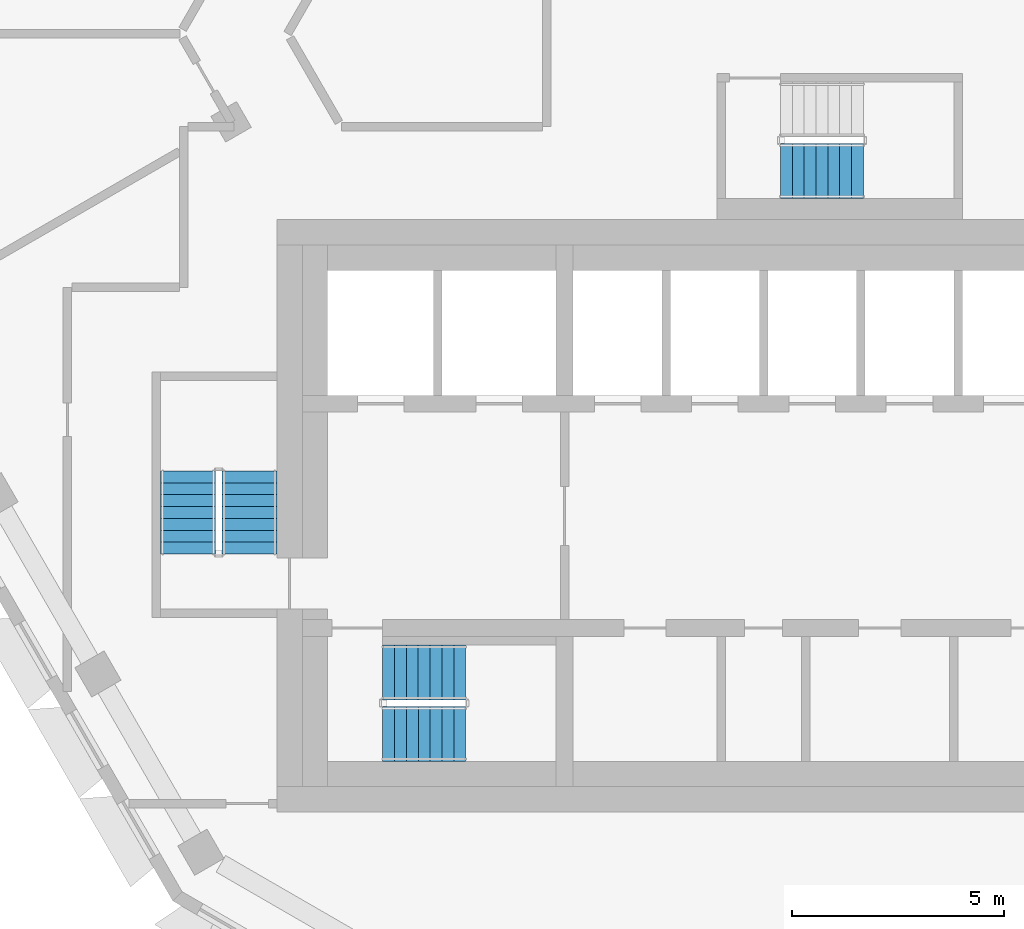
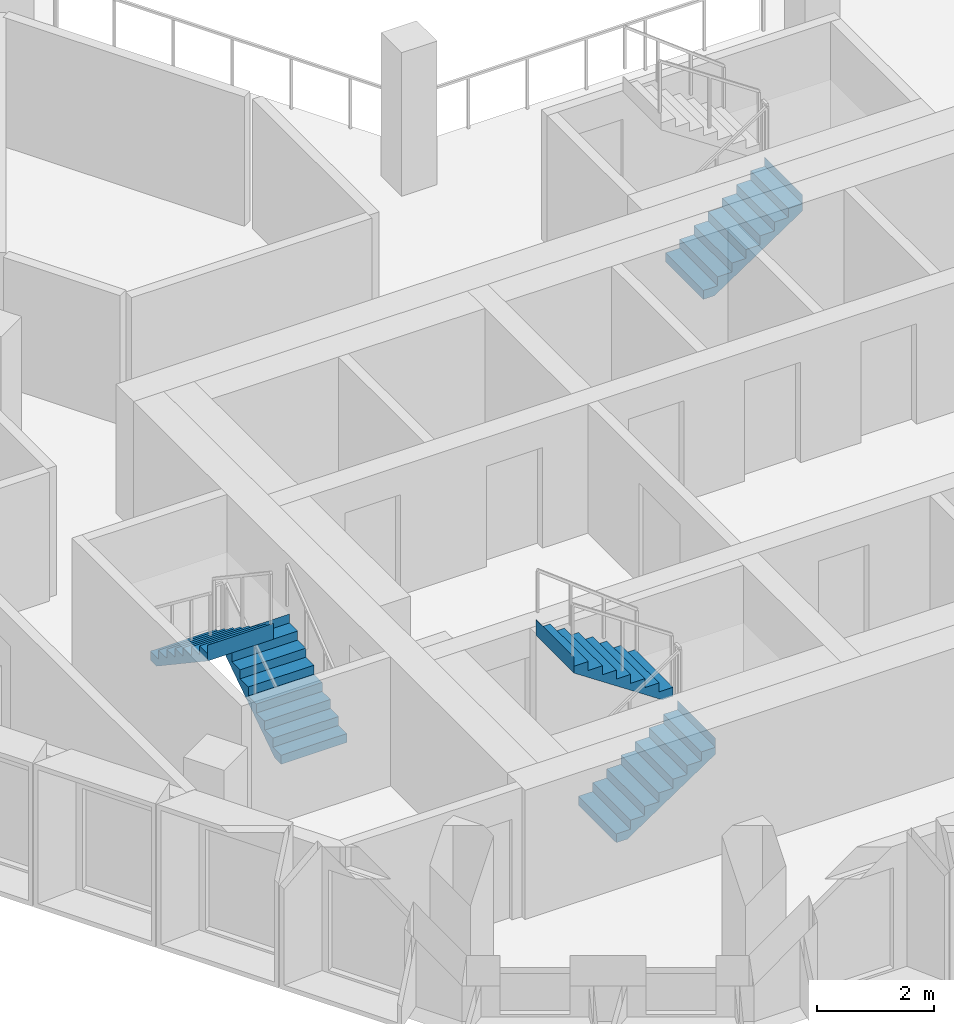
# One storey, part 11 of 17: 5 stair flights, 3 elements without a shape of their own.
"""IFC4 building model written with IfcOpenShell, lengths in metres."""

from ifc_helpers import new_model, si_unit, direction, frame, origin, place, context, subcontext, project, spatial, triangles, material, type_object, element, aggregate, save


model = new_model("IFC4")

# Units and contexts
model_context = context("Model", 3, precision=1e-05, world=origin(), true_north=direction((0.0, 1.0)))
body_context = subcontext(model_context, "Body", "Model", "MODEL_VIEW")
ifc_project = project(units=[si_unit("LENGTHUNIT", "METRE"), si_unit("AREAUNIT", "SQUARE_METRE"), si_unit("VOLUMEUNIT", "CUBIC_METRE"), si_unit("PLANEANGLEUNIT", "RADIAN"), si_unit("MASSUNIT", "GRAM", prefix="KILO")], contexts=[model_context])

# Site, building, storey
site_placement = place(None, origin())
site = spatial("IfcSite", under=ifc_project, at=site_placement, CompositionType="ELEMENT")
building_placement = place(site_placement, origin())
building = spatial("IfcBuilding", under=site, at=building_placement, Name="Beryl Residences", CompositionType="ELEMENT")
storey_placement = place(building_placement, frame((0.0, 0.0, 166.199951171875)))
storey = spatial("IfcBuildingStorey", under=building, at=storey_placement, Name="L50", CompositionType="ELEMENT", Elevation=166.199951171875)

# Stair, stair flights
ifc_material_1 = material(Name="Concrete C40/50", Category="concrete")
stair_type = type_object("IfcStairType", Name="ST1 protected exit stair, half-turn, 1300 mm flights", PredefinedType="HALF_TURN_STAIR", material=ifc_material_1)
stair_1_placement = place(storey_placement, origin())
stair_1 = element("IfcStair", 1, at=stair_1_placement, inside=storey, type_object=stair_type, Name="L50 PROTECTED EXIT STAIR ST-1", PredefinedType="HALF_TURN_STAIR")
ifc_material_2 = material(Name="Concrete C40/50", Category="concrete")
stair_flight_type = type_object("IfcStairFlightType", Name="SF1 stair flight 1300 mm", PredefinedType="STRAIGHT", material=ifc_material_2)
stair_flight_1_placement = place(storey_placement, frame((-10.800048828125, -17.14990234375, 0.0), z_axis=(0.0, 0.0, 1.0), x_axis=(1.0, 0.0, 0.0)))
stair_flight_1 = element("IfcStairFlight", 2, at=stair_flight_1_placement, type_object=stair_flight_type, Name="ST-1 flight 1", NumberOfRisers=8, NumberOfTreads=7, PredefinedType="STRAIGHT", RiserHeight=0.1875, TreadLength=0.28, context=body_context, shape_type="Tessellation", body=[
    triangles([(0.0, -0.64990234375, 0.0), (0.0, -0.324951171875, 0.0), (0.0, 0.0, 0.0), (0.0, 0.324951171875, 0.0), (0.0, 0.64990234375, 0.0), (0.0, -0.64990234375, 0.1875), (0.0, -0.324951171875, 0.1875), (0.0, 0.0, 0.1875), (0.0, 0.324951171875, 0.1875), (0.0, 0.64990234375, 0.1875), (0.280029296875, -0.64990234375, 0.1875), (0.280029296875, -0.324951171875, 0.1875), (0.280029296875, 0.0, 0.1875), (0.280029296875, 0.324951171875, 0.1875), (0.280029296875, 0.64990234375, 0.1875), (0.280029296875, -0.64990234375, 0.375), (0.280029296875, -0.324951171875, 0.375), (0.280029296875, 0.0, 0.375), (0.280029296875, 0.324951171875, 0.375), (0.280029296875, 0.64990234375, 0.375), (0.56005859375, -0.64990234375, 0.375), (0.56005859375, -0.324951171875, 0.375), (0.56005859375, 0.0, 0.375), (0.56005859375, 0.324951171875, 0.375), (0.56005859375, 0.64990234375, 0.375), (0.56005859375, -0.64990234375, 0.5625), (0.56005859375, -0.324951171875, 0.5625), (0.56005859375, 0.0, 0.5625), (0.56005859375, 0.324951171875, 0.5625), (0.56005859375, 0.64990234375, 0.5625), (0.840087890625, -0.64990234375, 0.5625), (0.840087890625, -0.324951171875, 0.5625), (0.840087890625, 0.0, 0.5625), (0.840087890625, 0.324951171875, 0.5625), (0.840087890625, 0.64990234375, 0.5625), (0.840087890625, -0.64990234375, 0.75), (0.840087890625, -0.324951171875, 0.75), (0.840087890625, 0.0, 0.75), (0.840087890625, 0.324951171875, 0.75), (0.840087890625, 0.64990234375, 0.75), (1.1201171875, -0.64990234375, 0.75), (1.1201171875, -0.324951171875, 0.75), (1.1201171875, 0.0, 0.75), (1.1201171875, 0.324951171875, 0.75), (1.1201171875, 0.64990234375, 0.75), (1.1201171875, -0.64990234375, 0.9375), (1.1201171875, -0.324951171875, 0.9375), (1.1201171875, 0.0, 0.9375), (1.1201171875, 0.324951171875, 0.9375), (1.1201171875, 0.64990234375, 0.9375), (1.39990234375, -0.64990234375, 0.9375), (1.39990234375, -0.324951171875, 0.9375), (1.39990234375, 0.0, 0.9375), (1.39990234375, 0.324951171875, 0.9375), (1.39990234375, 0.64990234375, 0.9375), (1.39990234375, -0.64990234375, 1.125), (1.39990234375, -0.324951171875, 1.125), (1.39990234375, 0.0, 1.125), (1.39990234375, 0.324951171875, 1.125), (1.39990234375, 0.64990234375, 1.125), (1.679931640625, -0.64990234375, 1.125), (1.679931640625, -0.324951171875, 1.125), (1.679931640625, 0.0, 1.125), (1.679931640625, 0.324951171875, 1.125), (1.679931640625, 0.64990234375, 1.125), (1.679931640625, -0.64990234375, 1.3125), (1.679931640625, -0.324951171875, 1.3125), (1.679931640625, 0.0, 1.3125), (1.679931640625, 0.324951171875, 1.3125), (1.679931640625, 0.64990234375, 1.3125), (1.9599609375, -0.64990234375, 1.3125), (1.9599609375, -0.324951171875, 1.3125), (1.9599609375, 0.0, 1.3125), (1.9599609375, 0.324951171875, 1.3125), (1.9599609375, 0.64990234375, 1.3125), (1.9599609375, -0.64990234375, 1.5), (1.9599609375, -0.324951171875, 1.5), (1.9599609375, 0.0, 1.5), (1.9599609375, 0.324951171875, 1.5), (1.9599609375, 0.64990234375, 1.5), (1.9609375, -0.64990234375, 1.5), (1.9609375, -0.324951171875, 1.5), (1.9609375, 0.0, 1.5), (1.9609375, 0.324951171875, 1.5), (1.9609375, 0.64990234375, 1.5), (1.9609375, -0.64990234375, 1.16796875), (1.9609375, -0.324951171875, 1.16796875), (1.9609375, 0.0, 1.16796875), (1.9609375, 0.324951171875, 1.16796875), (1.9609375, 0.64990234375, 1.16796875), (0.216796875, -0.64990234375, 0.0), (0.216796875, -0.324951171875, 0.0), (0.216796875, 0.0, 0.0), (0.216796875, 0.324951171875, 0.0), (0.216796875, 0.64990234375, 0.0)], [[1, 6, 7], [1, 7, 2], [2, 7, 8], [2, 8, 3], [3, 8, 9], [3, 9, 4], [4, 9, 10], [4, 10, 5], [6, 11, 12], [6, 12, 7], [7, 12, 13], [7, 13, 8], [8, 13, 14], [8, 14, 9], [9, 14, 15], [9, 15, 10], [11, 16, 17], [11, 17, 12], [12, 17, 18], [12, 18, 13], [13, 18, 19], [13, 19, 14], [14, 19, 20], [14, 20, 15], [16, 21, 22], [16, 22, 17], [17, 22, 23], [17, 23, 18], [18, 23, 24], [18, 24, 19], [19, 24, 25], [19, 25, 20], [21, 26, 27], [21, 27, 22], [22, 27, 28], [22, 28, 23], [23, 28, 29], [23, 29, 24], [24, 29, 30], [24, 30, 25], [26, 31, 32], [26, 32, 27], [27, 32, 33], [27, 33, 28], [28, 33, 34], [28, 34, 29], [29, 34, 35], [29, 35, 30], [31, 36, 37], [31, 37, 32], [32, 37, 38], [32, 38, 33], [33, 38, 39], [33, 39, 34], [34, 39, 40], [34, 40, 35], [36, 41, 42], [36, 42, 37], [37, 42, 43], [37, 43, 38], [38, 43, 44], [38, 44, 39], [39, 44, 45], [39, 45, 40], [41, 46, 47], [41, 47, 42], [42, 47, 48], [42, 48, 43], [43, 48, 49], [43, 49, 44], [44, 49, 50], [44, 50, 45], [46, 51, 52], [46, 52, 47], [47, 52, 53], [47, 53, 48], [48, 53, 54], [48, 54, 49], [49, 54, 55], [49, 55, 50], [51, 56, 57], [51, 57, 52], [52, 57, 58], [52, 58, 53], [53, 58, 59], [53, 59, 54], [54, 59, 60], [54, 60, 55], [56, 61, 62], [56, 62, 57], [57, 62, 63], [57, 63, 58], [58, 63, 64], [58, 64, 59], [59, 64, 65], [59, 65, 60], [61, 66, 67], [61, 67, 62], [62, 67, 68], [62, 68, 63], [63, 68, 69], [63, 69, 64], [64, 69, 70], [64, 70, 65], [66, 71, 72], [66, 72, 67], [67, 72, 73], [67, 73, 68], [68, 73, 74], [68, 74, 69], [69, 74, 75], [69, 75, 70], [71, 76, 77], [71, 77, 72], [72, 77, 78], [72, 78, 73], [73, 78, 79], [73, 79, 74], [74, 79, 80], [74, 80, 75], [76, 81, 82], [76, 82, 77], [77, 82, 83], [77, 83, 78], [78, 83, 84], [78, 84, 79], [79, 84, 85], [79, 85, 80], [81, 86, 87], [81, 87, 82], [82, 87, 88], [82, 88, 83], [83, 88, 89], [83, 89, 84], [84, 89, 90], [84, 90, 85], [86, 91, 92], [86, 92, 87], [87, 92, 93], [87, 93, 88], [88, 93, 94], [88, 94, 89], [89, 94, 95], [89, 95, 90], [91, 1, 2], [91, 2, 92], [92, 2, 3], [92, 3, 93], [93, 3, 4], [93, 4, 94], [94, 4, 5], [94, 5, 95], [1, 91, 86], [5, 90, 95], [86, 81, 76], [90, 80, 85], [86, 76, 71], [90, 75, 80], [86, 71, 66], [90, 70, 75], [86, 66, 61], [90, 65, 70], [61, 56, 51], [65, 55, 60], [86, 61, 51], [90, 55, 65], [51, 46, 41], [55, 45, 50], [86, 51, 41], [90, 45, 55], [41, 36, 31], [45, 35, 40], [86, 41, 31], [90, 35, 45], [31, 26, 21], [35, 25, 30], [86, 31, 21], [90, 25, 35], [21, 16, 11], [25, 15, 20], [86, 21, 11], [90, 15, 25], [1, 86, 11], [5, 15, 90], [11, 6, 1], [15, 5, 10]], closed=True),
])
stair_flight_2_placement = place(storey_placement, frame((-8.840087890625, -15.699951171875, 1.5), z_axis=(0.0, 0.0, 1.0), x_axis=(-1.0, 0.0, 0.0)))
stair_flight_2 = element("IfcStairFlight", 3, at=stair_flight_2_placement, type_object=stair_flight_type, Name="ST-1 flight 2", NumberOfRisers=8, NumberOfTreads=7, PredefinedType="STRAIGHT", RiserHeight=0.1875, TreadLength=0.28, context=body_context, shape_type="Tessellation", body=[
    triangles([(0.0, -0.64990234375, 0.0), (0.0, -0.324951171875, 0.0), (0.0, 0.0, 0.0), (0.0, 0.324951171875, 0.0), (0.0, 0.64990234375, 0.0), (0.0, -0.64990234375, 0.1875), (0.0, -0.324951171875, 0.1875), (0.0, 0.0, 0.1875), (0.0, 0.324951171875, 0.1875), (0.0, 0.64990234375, 0.1875), (0.280029296875, -0.64990234375, 0.1875), (0.280029296875, -0.324951171875, 0.1875), (0.280029296875, 0.0, 0.1875), (0.280029296875, 0.324951171875, 0.1875), (0.280029296875, 0.64990234375, 0.1875), (0.280029296875, -0.64990234375, 0.375), (0.280029296875, -0.324951171875, 0.375), (0.280029296875, 0.0, 0.375), (0.280029296875, 0.324951171875, 0.375), (0.280029296875, 0.64990234375, 0.375), (0.56005859375, -0.64990234375, 0.375), (0.56005859375, -0.324951171875, 0.375), (0.56005859375, 0.0, 0.375), (0.56005859375, 0.324951171875, 0.375), (0.56005859375, 0.64990234375, 0.375), (0.56005859375, -0.64990234375, 0.5625), (0.56005859375, -0.324951171875, 0.5625), (0.56005859375, 0.0, 0.5625), (0.56005859375, 0.324951171875, 0.5625), (0.56005859375, 0.64990234375, 0.5625), (0.840087890625, -0.64990234375, 0.5625), (0.840087890625, -0.324951171875, 0.5625), (0.840087890625, 0.0, 0.5625), (0.840087890625, 0.324951171875, 0.5625), (0.840087890625, 0.64990234375, 0.5625), (0.840087890625, -0.64990234375, 0.75), (0.840087890625, -0.324951171875, 0.75), (0.840087890625, 0.0, 0.75), (0.840087890625, 0.324951171875, 0.75), (0.840087890625, 0.64990234375, 0.75), (1.1201171875, -0.64990234375, 0.75), (1.1201171875, -0.324951171875, 0.75), (1.1201171875, 0.0, 0.75), (1.1201171875, 0.324951171875, 0.75), (1.1201171875, 0.64990234375, 0.75), (1.1201171875, -0.64990234375, 0.9375), (1.1201171875, -0.324951171875, 0.9375), (1.1201171875, 0.0, 0.9375), (1.1201171875, 0.324951171875, 0.9375), (1.1201171875, 0.64990234375, 0.9375), (1.39990234375, -0.64990234375, 0.9375), (1.39990234375, -0.324951171875, 0.9375), (1.39990234375, 0.0, 0.9375), (1.39990234375, 0.324951171875, 0.9375), (1.39990234375, 0.64990234375, 0.9375), (1.39990234375, -0.64990234375, 1.125), (1.39990234375, -0.324951171875, 1.125), (1.39990234375, 0.0, 1.125), (1.39990234375, 0.324951171875, 1.125), (1.39990234375, 0.64990234375, 1.125), (1.679931640625, -0.64990234375, 1.125), (1.679931640625, -0.324951171875, 1.125), (1.679931640625, 0.0, 1.125), (1.679931640625, 0.324951171875, 1.125), (1.679931640625, 0.64990234375, 1.125), (1.679931640625, -0.64990234375, 1.3125), (1.679931640625, -0.324951171875, 1.3125), (1.679931640625, 0.0, 1.3125), (1.679931640625, 0.324951171875, 1.3125), (1.679931640625, 0.64990234375, 1.3125), (1.9599609375, -0.64990234375, 1.3125), (1.9599609375, -0.324951171875, 1.3125), (1.9599609375, 0.0, 1.3125), (1.9599609375, 0.324951171875, 1.3125), (1.9599609375, 0.64990234375, 1.3125), (1.9599609375, -0.64990234375, 1.5), (1.9599609375, -0.324951171875, 1.5), (1.9599609375, 0.0, 1.5), (1.9599609375, 0.324951171875, 1.5), (1.9599609375, 0.64990234375, 1.5), (1.9609375, -0.64990234375, 1.5), (1.9609375, -0.324951171875, 1.5), (1.9609375, 0.0, 1.5), (1.9609375, 0.324951171875, 1.5), (1.9609375, 0.64990234375, 1.5), (1.9609375, -0.64990234375, 1.16796875), (1.9609375, -0.324951171875, 1.16796875), (1.9609375, 0.0, 1.16796875), (1.9609375, 0.324951171875, 1.16796875), (1.9609375, 0.64990234375, 1.16796875), (0.216796875, -0.64990234375, 0.0), (0.216796875, -0.324951171875, 0.0), (0.216796875, 0.0, 0.0), (0.216796875, 0.324951171875, 0.0), (0.216796875, 0.64990234375, 0.0)], [[1, 6, 7], [1, 7, 2], [2, 7, 8], [2, 8, 3], [3, 8, 9], [3, 9, 4], [4, 9, 10], [4, 10, 5], [6, 11, 12], [6, 12, 7], [7, 12, 13], [7, 13, 8], [8, 13, 14], [8, 14, 9], [9, 14, 15], [9, 15, 10], [11, 16, 17], [11, 17, 12], [12, 17, 18], [12, 18, 13], [13, 18, 19], [13, 19, 14], [14, 19, 20], [14, 20, 15], [16, 21, 22], [16, 22, 17], [17, 22, 23], [17, 23, 18], [18, 23, 24], [18, 24, 19], [19, 24, 25], [19, 25, 20], [21, 26, 27], [21, 27, 22], [22, 27, 28], [22, 28, 23], [23, 28, 29], [23, 29, 24], [24, 29, 30], [24, 30, 25], [26, 31, 32], [26, 32, 27], [27, 32, 33], [27, 33, 28], [28, 33, 34], [28, 34, 29], [29, 34, 35], [29, 35, 30], [31, 36, 37], [31, 37, 32], [32, 37, 38], [32, 38, 33], [33, 38, 39], [33, 39, 34], [34, 39, 40], [34, 40, 35], [36, 41, 42], [36, 42, 37], [37, 42, 43], [37, 43, 38], [38, 43, 44], [38, 44, 39], [39, 44, 45], [39, 45, 40], [41, 46, 47], [41, 47, 42], [42, 47, 48], [42, 48, 43], [43, 48, 49], [43, 49, 44], [44, 49, 50], [44, 50, 45], [46, 51, 52], [46, 52, 47], [47, 52, 53], [47, 53, 48], [48, 53, 54], [48, 54, 49], [49, 54, 55], [49, 55, 50], [51, 56, 57], [51, 57, 52], [52, 57, 58], [52, 58, 53], [53, 58, 59], [53, 59, 54], [54, 59, 60], [54, 60, 55], [56, 61, 62], [56, 62, 57], [57, 62, 63], [57, 63, 58], [58, 63, 64], [58, 64, 59], [59, 64, 65], [59, 65, 60], [61, 66, 67], [61, 67, 62], [62, 67, 68], [62, 68, 63], [63, 68, 69], [63, 69, 64], [64, 69, 70], [64, 70, 65], [66, 71, 72], [66, 72, 67], [67, 72, 73], [67, 73, 68], [68, 73, 74], [68, 74, 69], [69, 74, 75], [69, 75, 70], [71, 76, 77], [71, 77, 72], [72, 77, 78], [72, 78, 73], [73, 78, 79], [73, 79, 74], [74, 79, 80], [74, 80, 75], [76, 81, 82], [76, 82, 77], [77, 82, 83], [77, 83, 78], [78, 83, 84], [78, 84, 79], [79, 84, 85], [79, 85, 80], [81, 86, 87], [81, 87, 82], [82, 87, 88], [82, 88, 83], [83, 88, 89], [83, 89, 84], [84, 89, 90], [84, 90, 85], [86, 91, 92], [86, 92, 87], [87, 92, 93], [87, 93, 88], [88, 93, 94], [88, 94, 89], [89, 94, 95], [89, 95, 90], [91, 1, 2], [91, 2, 92], [92, 2, 3], [92, 3, 93], [93, 3, 4], [93, 4, 94], [94, 4, 5], [94, 5, 95], [1, 91, 86], [5, 90, 95], [86, 81, 76], [90, 80, 85], [86, 76, 71], [90, 75, 80], [86, 71, 66], [90, 70, 75], [86, 66, 61], [90, 65, 70], [61, 56, 51], [65, 55, 60], [86, 61, 51], [90, 55, 65], [51, 46, 41], [55, 45, 50], [86, 51, 41], [90, 45, 55], [41, 36, 31], [45, 35, 40], [86, 41, 31], [90, 35, 45], [31, 26, 21], [35, 25, 30], [86, 31, 21], [90, 25, 35], [21, 16, 11], [25, 15, 20], [86, 21, 11], [90, 15, 25], [1, 86, 11], [5, 15, 90], [11, 6, 1], [15, 5, 10]], closed=True),
])
aggregate(stair_1, [stair_flight_1, stair_flight_2])

stair_2_placement = place(storey_placement, origin())
stair_2 = element("IfcStair", 4, at=stair_2_placement, inside=storey, type_object=stair_type, Name="L50 PROTECTED EXIT STAIR ST-2", PredefinedType="HALF_TURN_STAIR")
stair_flight_3_placement = place(storey_placement, frame((-13.949951171875, -12.89990234375, 0.0), z_axis=(0.0, 0.0, 1.0), x_axis=(0.0, 1.0, 0.0)))
stair_flight_3 = element("IfcStairFlight", 5, at=stair_flight_3_placement, type_object=stair_flight_type, Name="ST-2 flight 1", NumberOfRisers=8, NumberOfTreads=7, PredefinedType="STRAIGHT", RiserHeight=0.1875, TreadLength=0.28, context=body_context, shape_type="Tessellation", body=[
    triangles([(0.0, -0.64990234375, 0.0), (0.0, -0.324951171875, 0.0), (0.0, 0.0, 0.0), (0.0, 0.324951171875, 0.0), (0.0, 0.64990234375, 0.0), (0.0, -0.64990234375, 0.1875), (0.0, -0.324951171875, 0.1875), (0.0, 0.0, 0.1875), (0.0, 0.324951171875, 0.1875), (0.0, 0.64990234375, 0.1875), (0.280029296875, -0.64990234375, 0.1875), (0.280029296875, -0.324951171875, 0.1875), (0.280029296875, 0.0, 0.1875), (0.280029296875, 0.324951171875, 0.1875), (0.280029296875, 0.64990234375, 0.1875), (0.280029296875, -0.64990234375, 0.375), (0.280029296875, -0.324951171875, 0.375), (0.280029296875, 0.0, 0.375), (0.280029296875, 0.324951171875, 0.375), (0.280029296875, 0.64990234375, 0.375), (0.56005859375, -0.64990234375, 0.375), (0.56005859375, -0.324951171875, 0.375), (0.56005859375, 0.0, 0.375), (0.56005859375, 0.324951171875, 0.375), (0.56005859375, 0.64990234375, 0.375), (0.56005859375, -0.64990234375, 0.5625), (0.56005859375, -0.324951171875, 0.5625), (0.56005859375, 0.0, 0.5625), (0.56005859375, 0.324951171875, 0.5625), (0.56005859375, 0.64990234375, 0.5625), (0.840087890625, -0.64990234375, 0.5625), (0.840087890625, -0.324951171875, 0.5625), (0.840087890625, 0.0, 0.5625), (0.840087890625, 0.324951171875, 0.5625), (0.840087890625, 0.64990234375, 0.5625), (0.840087890625, -0.64990234375, 0.75), (0.840087890625, -0.324951171875, 0.75), (0.840087890625, 0.0, 0.75), (0.840087890625, 0.324951171875, 0.75), (0.840087890625, 0.64990234375, 0.75), (1.1201171875, -0.64990234375, 0.75), (1.1201171875, -0.324951171875, 0.75), (1.1201171875, 0.0, 0.75), (1.1201171875, 0.324951171875, 0.75), (1.1201171875, 0.64990234375, 0.75), (1.1201171875, -0.64990234375, 0.9375), (1.1201171875, -0.324951171875, 0.9375), (1.1201171875, 0.0, 0.9375), (1.1201171875, 0.324951171875, 0.9375), (1.1201171875, 0.64990234375, 0.9375), (1.39990234375, -0.64990234375, 0.9375), (1.39990234375, -0.324951171875, 0.9375), (1.39990234375, 0.0, 0.9375), (1.39990234375, 0.324951171875, 0.9375), (1.39990234375, 0.64990234375, 0.9375), (1.39990234375, -0.64990234375, 1.125), (1.39990234375, -0.324951171875, 1.125), (1.39990234375, 0.0, 1.125), (1.39990234375, 0.324951171875, 1.125), (1.39990234375, 0.64990234375, 1.125), (1.679931640625, -0.64990234375, 1.125), (1.679931640625, -0.324951171875, 1.125), (1.679931640625, 0.0, 1.125), (1.679931640625, 0.324951171875, 1.125), (1.679931640625, 0.64990234375, 1.125), (1.679931640625, -0.64990234375, 1.3125), (1.679931640625, -0.324951171875, 1.3125), (1.679931640625, 0.0, 1.3125), (1.679931640625, 0.324951171875, 1.3125), (1.679931640625, 0.64990234375, 1.3125), (1.9599609375, -0.64990234375, 1.3125), (1.9599609375, -0.324951171875, 1.3125), (1.9599609375, 0.0, 1.3125), (1.9599609375, 0.324951171875, 1.3125), (1.9599609375, 0.64990234375, 1.3125), (1.9599609375, -0.64990234375, 1.5), (1.9599609375, -0.324951171875, 1.5), (1.9599609375, 0.0, 1.5), (1.9599609375, 0.324951171875, 1.5), (1.9599609375, 0.64990234375, 1.5), (1.9609375, -0.64990234375, 1.5), (1.9609375, -0.324951171875, 1.5), (1.9609375, 0.0, 1.5), (1.9609375, 0.324951171875, 1.5), (1.9609375, 0.64990234375, 1.5), (1.9609375, -0.64990234375, 1.16796875), (1.9609375, -0.324951171875, 1.16796875), (1.9609375, 0.0, 1.16796875), (1.9609375, 0.324951171875, 1.16796875), (1.9609375, 0.64990234375, 1.16796875), (0.216796875, -0.64990234375, 0.0), (0.216796875, -0.324951171875, 0.0), (0.216796875, 0.0, 0.0), (0.216796875, 0.324951171875, 0.0), (0.216796875, 0.64990234375, 0.0)], [[1, 6, 7], [1, 7, 2], [2, 7, 8], [2, 8, 3], [3, 8, 9], [3, 9, 4], [4, 9, 10], [4, 10, 5], [6, 11, 12], [6, 12, 7], [7, 12, 13], [7, 13, 8], [8, 13, 14], [8, 14, 9], [9, 14, 15], [9, 15, 10], [11, 16, 17], [11, 17, 12], [12, 17, 18], [12, 18, 13], [13, 18, 19], [13, 19, 14], [14, 19, 20], [14, 20, 15], [16, 21, 22], [16, 22, 17], [17, 22, 23], [17, 23, 18], [18, 23, 24], [18, 24, 19], [19, 24, 25], [19, 25, 20], [21, 26, 27], [21, 27, 22], [22, 27, 28], [22, 28, 23], [23, 28, 29], [23, 29, 24], [24, 29, 30], [24, 30, 25], [26, 31, 32], [26, 32, 27], [27, 32, 33], [27, 33, 28], [28, 33, 34], [28, 34, 29], [29, 34, 35], [29, 35, 30], [31, 36, 37], [31, 37, 32], [32, 37, 38], [32, 38, 33], [33, 38, 39], [33, 39, 34], [34, 39, 40], [34, 40, 35], [36, 41, 42], [36, 42, 37], [37, 42, 43], [37, 43, 38], [38, 43, 44], [38, 44, 39], [39, 44, 45], [39, 45, 40], [41, 46, 47], [41, 47, 42], [42, 47, 48], [42, 48, 43], [43, 48, 49], [43, 49, 44], [44, 49, 50], [44, 50, 45], [46, 51, 52], [46, 52, 47], [47, 52, 53], [47, 53, 48], [48, 53, 54], [48, 54, 49], [49, 54, 55], [49, 55, 50], [51, 56, 57], [51, 57, 52], [52, 57, 58], [52, 58, 53], [53, 58, 59], [53, 59, 54], [54, 59, 60], [54, 60, 55], [56, 61, 62], [56, 62, 57], [57, 62, 63], [57, 63, 58], [58, 63, 64], [58, 64, 59], [59, 64, 65], [59, 65, 60], [61, 66, 67], [61, 67, 62], [62, 67, 68], [62, 68, 63], [63, 68, 69], [63, 69, 64], [64, 69, 70], [64, 70, 65], [66, 71, 72], [66, 72, 67], [67, 72, 73], [67, 73, 68], [68, 73, 74], [68, 74, 69], [69, 74, 75], [69, 75, 70], [71, 76, 77], [71, 77, 72], [72, 77, 78], [72, 78, 73], [73, 78, 79], [73, 79, 74], [74, 79, 80], [74, 80, 75], [76, 81, 82], [76, 82, 77], [77, 82, 83], [77, 83, 78], [78, 83, 84], [78, 84, 79], [79, 84, 85], [79, 85, 80], [81, 86, 87], [81, 87, 82], [82, 87, 88], [82, 88, 83], [83, 88, 89], [83, 89, 84], [84, 89, 90], [84, 90, 85], [86, 91, 92], [86, 92, 87], [87, 92, 93], [87, 93, 88], [88, 93, 94], [88, 94, 89], [89, 94, 95], [89, 95, 90], [91, 1, 2], [91, 2, 92], [92, 2, 3], [92, 3, 93], [93, 3, 4], [93, 4, 94], [94, 4, 5], [94, 5, 95], [1, 91, 86], [5, 90, 95], [86, 81, 76], [90, 80, 85], [86, 76, 71], [90, 75, 80], [86, 71, 66], [90, 70, 75], [86, 66, 61], [90, 65, 70], [61, 56, 51], [65, 55, 60], [86, 61, 51], [90, 55, 65], [51, 46, 41], [55, 45, 50], [86, 51, 41], [90, 45, 55], [41, 36, 31], [45, 35, 40], [86, 41, 31], [90, 35, 45], [31, 26, 21], [35, 25, 30], [86, 31, 21], [90, 25, 35], [21, 16, 11], [25, 15, 20], [86, 21, 11], [90, 15, 25], [1, 86, 11], [5, 15, 90], [11, 6, 1], [15, 5, 10]], closed=True),
])
stair_flight_4_placement = place(storey_placement, frame((-15.39990234375, -10.93994140625, 1.5), z_axis=(0.0, 0.0, 1.0), x_axis=(0.0, -1.0, 0.0)))
stair_flight_4 = element("IfcStairFlight", 6, at=stair_flight_4_placement, type_object=stair_flight_type, Name="ST-2 flight 2", NumberOfRisers=8, NumberOfTreads=7, PredefinedType="STRAIGHT", RiserHeight=0.1875, TreadLength=0.28, context=body_context, shape_type="Tessellation", body=[
    triangles([(0.0, -0.64990234375, 0.0), (0.0, -0.324951171875, 0.0), (0.0, 0.0, 0.0), (0.0, 0.324951171875, 0.0), (0.0, 0.64990234375, 0.0), (0.0, -0.64990234375, 0.1875), (0.0, -0.324951171875, 0.1875), (0.0, 0.0, 0.1875), (0.0, 0.324951171875, 0.1875), (0.0, 0.64990234375, 0.1875), (0.280029296875, -0.64990234375, 0.1875), (0.280029296875, -0.324951171875, 0.1875), (0.280029296875, 0.0, 0.1875), (0.280029296875, 0.324951171875, 0.1875), (0.280029296875, 0.64990234375, 0.1875), (0.280029296875, -0.64990234375, 0.375), (0.280029296875, -0.324951171875, 0.375), (0.280029296875, 0.0, 0.375), (0.280029296875, 0.324951171875, 0.375), (0.280029296875, 0.64990234375, 0.375), (0.56005859375, -0.64990234375, 0.375), (0.56005859375, -0.324951171875, 0.375), (0.56005859375, 0.0, 0.375), (0.56005859375, 0.324951171875, 0.375), (0.56005859375, 0.64990234375, 0.375), (0.56005859375, -0.64990234375, 0.5625), (0.56005859375, -0.324951171875, 0.5625), (0.56005859375, 0.0, 0.5625), (0.56005859375, 0.324951171875, 0.5625), (0.56005859375, 0.64990234375, 0.5625), (0.840087890625, -0.64990234375, 0.5625), (0.840087890625, -0.324951171875, 0.5625), (0.840087890625, 0.0, 0.5625), (0.840087890625, 0.324951171875, 0.5625), (0.840087890625, 0.64990234375, 0.5625), (0.840087890625, -0.64990234375, 0.75), (0.840087890625, -0.324951171875, 0.75), (0.840087890625, 0.0, 0.75), (0.840087890625, 0.324951171875, 0.75), (0.840087890625, 0.64990234375, 0.75), (1.1201171875, -0.64990234375, 0.75), (1.1201171875, -0.324951171875, 0.75), (1.1201171875, 0.0, 0.75), (1.1201171875, 0.324951171875, 0.75), (1.1201171875, 0.64990234375, 0.75), (1.1201171875, -0.64990234375, 0.9375), (1.1201171875, -0.324951171875, 0.9375), (1.1201171875, 0.0, 0.9375), (1.1201171875, 0.324951171875, 0.9375), (1.1201171875, 0.64990234375, 0.9375), (1.39990234375, -0.64990234375, 0.9375), (1.39990234375, -0.324951171875, 0.9375), (1.39990234375, 0.0, 0.9375), (1.39990234375, 0.324951171875, 0.9375), (1.39990234375, 0.64990234375, 0.9375), (1.39990234375, -0.64990234375, 1.125), (1.39990234375, -0.324951171875, 1.125), (1.39990234375, 0.0, 1.125), (1.39990234375, 0.324951171875, 1.125), (1.39990234375, 0.64990234375, 1.125), (1.679931640625, -0.64990234375, 1.125), (1.679931640625, -0.324951171875, 1.125), (1.679931640625, 0.0, 1.125), (1.679931640625, 0.324951171875, 1.125), (1.679931640625, 0.64990234375, 1.125), (1.679931640625, -0.64990234375, 1.3125), (1.679931640625, -0.324951171875, 1.3125), (1.679931640625, 0.0, 1.3125), (1.679931640625, 0.324951171875, 1.3125), (1.679931640625, 0.64990234375, 1.3125), (1.9599609375, -0.64990234375, 1.3125), (1.9599609375, -0.324951171875, 1.3125), (1.9599609375, 0.0, 1.3125), (1.9599609375, 0.324951171875, 1.3125), (1.9599609375, 0.64990234375, 1.3125), (1.9599609375, -0.64990234375, 1.5), (1.9599609375, -0.324951171875, 1.5), (1.9599609375, 0.0, 1.5), (1.9599609375, 0.324951171875, 1.5), (1.9599609375, 0.64990234375, 1.5), (1.9609375, -0.64990234375, 1.5), (1.9609375, -0.324951171875, 1.5), (1.9609375, 0.0, 1.5), (1.9609375, 0.324951171875, 1.5), (1.9609375, 0.64990234375, 1.5), (1.9609375, -0.64990234375, 1.16796875), (1.9609375, -0.324951171875, 1.16796875), (1.9609375, 0.0, 1.16796875), (1.9609375, 0.324951171875, 1.16796875), (1.9609375, 0.64990234375, 1.16796875), (0.216796875, -0.64990234375, 0.0), (0.216796875, -0.324951171875, 0.0), (0.216796875, 0.0, 0.0), (0.216796875, 0.324951171875, 0.0), (0.216796875, 0.64990234375, 0.0)], [[1, 6, 7], [1, 7, 2], [2, 7, 8], [2, 8, 3], [3, 8, 9], [3, 9, 4], [4, 9, 10], [4, 10, 5], [6, 11, 12], [6, 12, 7], [7, 12, 13], [7, 13, 8], [8, 13, 14], [8, 14, 9], [9, 14, 15], [9, 15, 10], [11, 16, 17], [11, 17, 12], [12, 17, 18], [12, 18, 13], [13, 18, 19], [13, 19, 14], [14, 19, 20], [14, 20, 15], [16, 21, 22], [16, 22, 17], [17, 22, 23], [17, 23, 18], [18, 23, 24], [18, 24, 19], [19, 24, 25], [19, 25, 20], [21, 26, 27], [21, 27, 22], [22, 27, 28], [22, 28, 23], [23, 28, 29], [23, 29, 24], [24, 29, 30], [24, 30, 25], [26, 31, 32], [26, 32, 27], [27, 32, 33], [27, 33, 28], [28, 33, 34], [28, 34, 29], [29, 34, 35], [29, 35, 30], [31, 36, 37], [31, 37, 32], [32, 37, 38], [32, 38, 33], [33, 38, 39], [33, 39, 34], [34, 39, 40], [34, 40, 35], [36, 41, 42], [36, 42, 37], [37, 42, 43], [37, 43, 38], [38, 43, 44], [38, 44, 39], [39, 44, 45], [39, 45, 40], [41, 46, 47], [41, 47, 42], [42, 47, 48], [42, 48, 43], [43, 48, 49], [43, 49, 44], [44, 49, 50], [44, 50, 45], [46, 51, 52], [46, 52, 47], [47, 52, 53], [47, 53, 48], [48, 53, 54], [48, 54, 49], [49, 54, 55], [49, 55, 50], [51, 56, 57], [51, 57, 52], [52, 57, 58], [52, 58, 53], [53, 58, 59], [53, 59, 54], [54, 59, 60], [54, 60, 55], [56, 61, 62], [56, 62, 57], [57, 62, 63], [57, 63, 58], [58, 63, 64], [58, 64, 59], [59, 64, 65], [59, 65, 60], [61, 66, 67], [61, 67, 62], [62, 67, 68], [62, 68, 63], [63, 68, 69], [63, 69, 64], [64, 69, 70], [64, 70, 65], [66, 71, 72], [66, 72, 67], [67, 72, 73], [67, 73, 68], [68, 73, 74], [68, 74, 69], [69, 74, 75], [69, 75, 70], [71, 76, 77], [71, 77, 72], [72, 77, 78], [72, 78, 73], [73, 78, 79], [73, 79, 74], [74, 79, 80], [74, 80, 75], [76, 81, 82], [76, 82, 77], [77, 82, 83], [77, 83, 78], [78, 83, 84], [78, 84, 79], [79, 84, 85], [79, 85, 80], [81, 86, 87], [81, 87, 82], [82, 87, 88], [82, 88, 83], [83, 88, 89], [83, 89, 84], [84, 89, 90], [84, 90, 85], [86, 91, 92], [86, 92, 87], [87, 92, 93], [87, 93, 88], [88, 93, 94], [88, 94, 89], [89, 94, 95], [89, 95, 90], [91, 1, 2], [91, 2, 92], [92, 2, 3], [92, 3, 93], [93, 3, 4], [93, 4, 94], [94, 4, 5], [94, 5, 95], [1, 91, 86], [5, 90, 95], [86, 81, 76], [90, 80, 85], [86, 76, 71], [90, 75, 80], [86, 71, 66], [90, 70, 75], [86, 66, 61], [90, 65, 70], [61, 56, 51], [65, 55, 60], [86, 61, 51], [90, 55, 65], [51, 46, 41], [55, 45, 50], [86, 51, 41], [90, 45, 55], [41, 36, 31], [45, 35, 40], [86, 41, 31], [90, 35, 45], [31, 26, 21], [35, 25, 30], [86, 31, 21], [90, 25, 35], [21, 16, 11], [25, 15, 20], [86, 21, 11], [90, 15, 25], [1, 86, 11], [5, 15, 90], [11, 6, 1], [15, 5, 10]], closed=True),
])
aggregate(stair_2, [stair_flight_3, stair_flight_4])

# Stair, stair flight
stair_3_placement = place(storey_placement, origin())
stair_3 = element("IfcStair", 7, at=stair_3_placement, inside=storey, type_object=stair_type, Name="L50 PROTECTED EXIT STAIR ST-4", PredefinedType="HALF_TURN_STAIR")
stair_flight_5_placement = place(storey_placement, frame((-1.39990234375, -3.85009765625, 0.0), z_axis=(0.0, 0.0, 1.0), x_axis=(1.0, 0.0, 0.0)))
stair_flight_5 = element("IfcStairFlight", 8, at=stair_flight_5_placement, type_object=stair_flight_type, Name="ST-4 flight 1", NumberOfRisers=8, NumberOfTreads=7, PredefinedType="STRAIGHT", RiserHeight=0.1875, TreadLength=0.28, context=body_context, shape_type="Tessellation", body=[
    triangles([(0.0, -0.64990234375, 0.0), (0.0, -0.324951171875, 0.0), (0.0, 0.0, 0.0), (0.0, 0.324951171875, 0.0), (0.0, 0.64990234375, 0.0), (0.0, -0.64990234375, 0.1875), (0.0, -0.324951171875, 0.1875), (0.0, 0.0, 0.1875), (0.0, 0.324951171875, 0.1875), (0.0, 0.64990234375, 0.1875), (0.280029296875, -0.64990234375, 0.1875), (0.280029296875, -0.324951171875, 0.1875), (0.280029296875, 0.0, 0.1875), (0.280029296875, 0.324951171875, 0.1875), (0.280029296875, 0.64990234375, 0.1875), (0.280029296875, -0.64990234375, 0.375), (0.280029296875, -0.324951171875, 0.375), (0.280029296875, 0.0, 0.375), (0.280029296875, 0.324951171875, 0.375), (0.280029296875, 0.64990234375, 0.375), (0.56005859375, -0.64990234375, 0.375), (0.56005859375, -0.324951171875, 0.375), (0.56005859375, 0.0, 0.375), (0.56005859375, 0.324951171875, 0.375), (0.56005859375, 0.64990234375, 0.375), (0.56005859375, -0.64990234375, 0.5625), (0.56005859375, -0.324951171875, 0.5625), (0.56005859375, 0.0, 0.5625), (0.56005859375, 0.324951171875, 0.5625), (0.56005859375, 0.64990234375, 0.5625), (0.840087890625, -0.64990234375, 0.5625), (0.840087890625, -0.324951171875, 0.5625), (0.840087890625, 0.0, 0.5625), (0.840087890625, 0.324951171875, 0.5625), (0.840087890625, 0.64990234375, 0.5625), (0.840087890625, -0.64990234375, 0.75), (0.840087890625, -0.324951171875, 0.75), (0.840087890625, 0.0, 0.75), (0.840087890625, 0.324951171875, 0.75), (0.840087890625, 0.64990234375, 0.75), (1.1201171875, -0.64990234375, 0.75), (1.1201171875, -0.324951171875, 0.75), (1.1201171875, 0.0, 0.75), (1.1201171875, 0.324951171875, 0.75), (1.1201171875, 0.64990234375, 0.75), (1.1201171875, -0.64990234375, 0.9375), (1.1201171875, -0.324951171875, 0.9375), (1.1201171875, 0.0, 0.9375), (1.1201171875, 0.324951171875, 0.9375), (1.1201171875, 0.64990234375, 0.9375), (1.39990234375, -0.64990234375, 0.9375), (1.39990234375, -0.324951171875, 0.9375), (1.39990234375, 0.0, 0.9375), (1.39990234375, 0.324951171875, 0.9375), (1.39990234375, 0.64990234375, 0.9375), (1.39990234375, -0.64990234375, 1.125), (1.39990234375, -0.324951171875, 1.125), (1.39990234375, 0.0, 1.125), (1.39990234375, 0.324951171875, 1.125), (1.39990234375, 0.64990234375, 1.125), (1.679931640625, -0.64990234375, 1.125), (1.679931640625, -0.324951171875, 1.125), (1.679931640625, 0.0, 1.125), (1.679931640625, 0.324951171875, 1.125), (1.679931640625, 0.64990234375, 1.125), (1.679931640625, -0.64990234375, 1.3125), (1.679931640625, -0.324951171875, 1.3125), (1.679931640625, 0.0, 1.3125), (1.679931640625, 0.324951171875, 1.3125), (1.679931640625, 0.64990234375, 1.3125), (1.9599609375, -0.64990234375, 1.3125), (1.9599609375, -0.324951171875, 1.3125), (1.9599609375, 0.0, 1.3125), (1.9599609375, 0.324951171875, 1.3125), (1.9599609375, 0.64990234375, 1.3125), (1.9599609375, -0.64990234375, 1.5), (1.9599609375, -0.324951171875, 1.5), (1.9599609375, 0.0, 1.5), (1.9599609375, 0.324951171875, 1.5), (1.9599609375, 0.64990234375, 1.5), (1.9609375, -0.64990234375, 1.5), (1.9609375, -0.324951171875, 1.5), (1.9609375, 0.0, 1.5), (1.9609375, 0.324951171875, 1.5), (1.9609375, 0.64990234375, 1.5), (1.9609375, -0.64990234375, 1.16796875), (1.9609375, -0.324951171875, 1.16796875), (1.9609375, 0.0, 1.16796875), (1.9609375, 0.324951171875, 1.16796875), (1.9609375, 0.64990234375, 1.16796875), (0.216796875, -0.64990234375, 0.0), (0.216796875, -0.324951171875, 0.0), (0.216796875, 0.0, 0.0), (0.216796875, 0.324951171875, 0.0), (0.216796875, 0.64990234375, 0.0)], [[1, 6, 7], [1, 7, 2], [2, 7, 8], [2, 8, 3], [3, 8, 9], [3, 9, 4], [4, 9, 10], [4, 10, 5], [6, 11, 12], [6, 12, 7], [7, 12, 13], [7, 13, 8], [8, 13, 14], [8, 14, 9], [9, 14, 15], [9, 15, 10], [11, 16, 17], [11, 17, 12], [12, 17, 18], [12, 18, 13], [13, 18, 19], [13, 19, 14], [14, 19, 20], [14, 20, 15], [16, 21, 22], [16, 22, 17], [17, 22, 23], [17, 23, 18], [18, 23, 24], [18, 24, 19], [19, 24, 25], [19, 25, 20], [21, 26, 27], [21, 27, 22], [22, 27, 28], [22, 28, 23], [23, 28, 29], [23, 29, 24], [24, 29, 30], [24, 30, 25], [26, 31, 32], [26, 32, 27], [27, 32, 33], [27, 33, 28], [28, 33, 34], [28, 34, 29], [29, 34, 35], [29, 35, 30], [31, 36, 37], [31, 37, 32], [32, 37, 38], [32, 38, 33], [33, 38, 39], [33, 39, 34], [34, 39, 40], [34, 40, 35], [36, 41, 42], [36, 42, 37], [37, 42, 43], [37, 43, 38], [38, 43, 44], [38, 44, 39], [39, 44, 45], [39, 45, 40], [41, 46, 47], [41, 47, 42], [42, 47, 48], [42, 48, 43], [43, 48, 49], [43, 49, 44], [44, 49, 50], [44, 50, 45], [46, 51, 52], [46, 52, 47], [47, 52, 53], [47, 53, 48], [48, 53, 54], [48, 54, 49], [49, 54, 55], [49, 55, 50], [51, 56, 57], [51, 57, 52], [52, 57, 58], [52, 58, 53], [53, 58, 59], [53, 59, 54], [54, 59, 60], [54, 60, 55], [56, 61, 62], [56, 62, 57], [57, 62, 63], [57, 63, 58], [58, 63, 64], [58, 64, 59], [59, 64, 65], [59, 65, 60], [61, 66, 67], [61, 67, 62], [62, 67, 68], [62, 68, 63], [63, 68, 69], [63, 69, 64], [64, 69, 70], [64, 70, 65], [66, 71, 72], [66, 72, 67], [67, 72, 73], [67, 73, 68], [68, 73, 74], [68, 74, 69], [69, 74, 75], [69, 75, 70], [71, 76, 77], [71, 77, 72], [72, 77, 78], [72, 78, 73], [73, 78, 79], [73, 79, 74], [74, 79, 80], [74, 80, 75], [76, 81, 82], [76, 82, 77], [77, 82, 83], [77, 83, 78], [78, 83, 84], [78, 84, 79], [79, 84, 85], [79, 85, 80], [81, 86, 87], [81, 87, 82], [82, 87, 88], [82, 88, 83], [83, 88, 89], [83, 89, 84], [84, 89, 90], [84, 90, 85], [86, 91, 92], [86, 92, 87], [87, 92, 93], [87, 93, 88], [88, 93, 94], [88, 94, 89], [89, 94, 95], [89, 95, 90], [91, 1, 2], [91, 2, 92], [92, 2, 3], [92, 3, 93], [93, 3, 4], [93, 4, 94], [94, 4, 5], [94, 5, 95], [1, 91, 86], [5, 90, 95], [86, 81, 76], [90, 80, 85], [86, 76, 71], [90, 75, 80], [86, 71, 66], [90, 70, 75], [86, 66, 61], [90, 65, 70], [61, 56, 51], [65, 55, 60], [86, 61, 51], [90, 55, 65], [51, 46, 41], [55, 45, 50], [86, 51, 41], [90, 45, 55], [41, 36, 31], [45, 35, 40], [86, 41, 31], [90, 35, 45], [31, 26, 21], [35, 25, 30], [86, 31, 21], [90, 25, 35], [21, 16, 11], [25, 15, 20], [86, 21, 11], [90, 15, 25], [1, 86, 11], [5, 15, 90], [11, 6, 1], [15, 5, 10]], closed=True),
])
aggregate(stair_3, [stair_flight_5])

save(model, "model.ifc")
